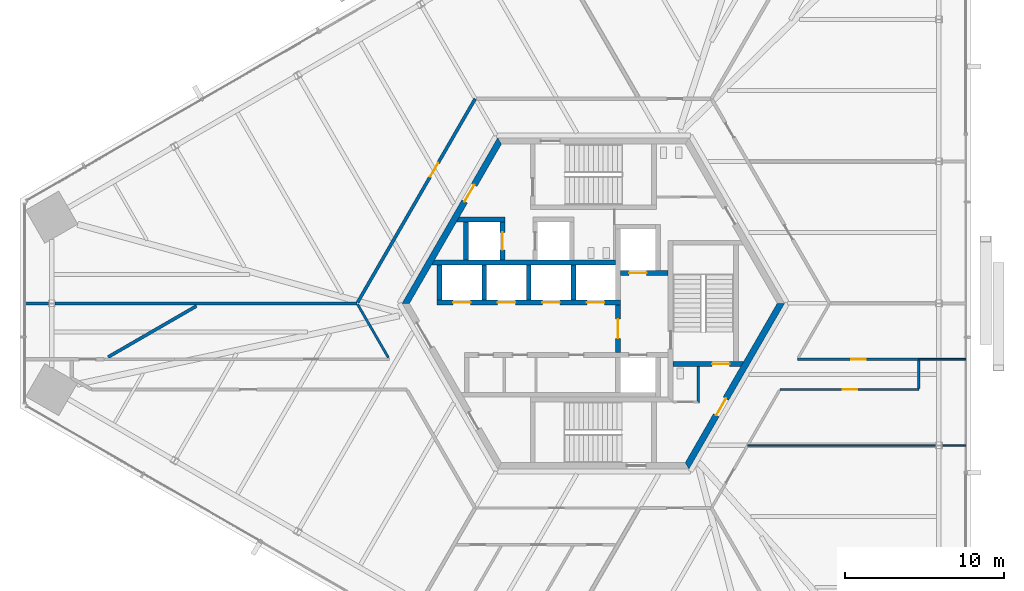
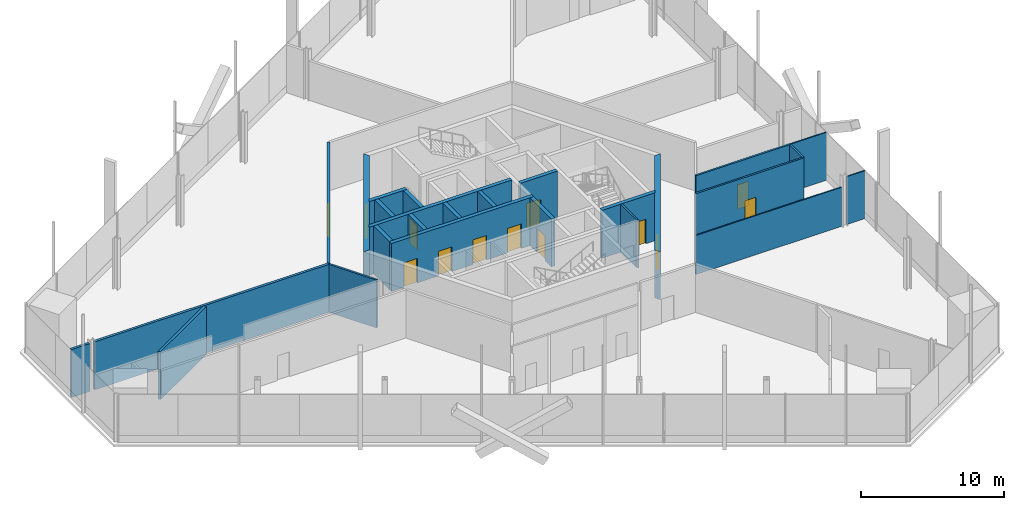
# One storey, part 11 of 18: 26 walls, 13 doors, 13 openings.
"""IFC4 building model written with IfcOpenShell, lengths in metres."""

from ifc_helpers import new_model, si_unit, direction, frame, frame_2d, origin, place, context, subcontext, project, spatial, polyline, rectangle, outline, extrude, source, transform, mapped, material, layer, layer_set, type_object, element, fill, save


model = new_model("IFC4")

# Units and contexts
model_context = context("Model", 3, precision=1e-05, world=origin(), true_north=direction((0.0, 1.0)))
body_context = subcontext(model_context, "Body", "Model", "MODEL_VIEW")
ifc_project = project(units=[si_unit("LENGTHUNIT", "METRE"), si_unit("AREAUNIT", "SQUARE_METRE"), si_unit("VOLUMEUNIT", "CUBIC_METRE"), si_unit("PLANEANGLEUNIT", "RADIAN"), si_unit("MASSUNIT", "GRAM", prefix="KILO")], contexts=[model_context])

# Site, building, storey
site_placement = place(None, origin())
site = spatial("IfcSite", under=ifc_project, at=site_placement, CompositionType="ELEMENT")
building_placement = place(site_placement, origin())
building = spatial("IfcBuilding", under=site, at=building_placement, Name="Triune Harvest Tower", CompositionType="ELEMENT")
storey_placement = place(building_placement, frame((0.0, 0.0, 33.199951171875)))
storey = spatial("IfcBuildingStorey", under=building, at=storey_placement, Name="L07", CompositionType="ELEMENT", Elevation=33.199951171875)

# Wall
ifc_material_1 = material(Name="Gypsum board on steel studs", Category="steel")
ifc_layer_1 = layer(ifc_material_1, 0.199951171875)
ifc_layer_set_1 = layer_set([ifc_layer_1], Name="Gypsum board on steel studs")
wall_type_1 = type_object("IfcWallType", Name="Fire Wall 200 mm", PredefinedType="PARTITIONING", material=ifc_layer_set_1)
wall_1_placement = place(storey_placement, frame((-30.44677734375, -3.364501953125, 0.0), z_axis=(0.0, 0.0, 1.0), x_axis=(0.866029926444, 0.499992166441, 0.0)))
element("IfcWall", 1, at=wall_1_placement, inside=storey, type_object=wall_type_1, Name="Partition L07 029", PredefinedType="PARTITIONING", context=body_context, shape_type="SweptSolid", body=[
    extrude(rectangle(XDim=6.39892578125, YDim=0.199951171875, at=frame_2d((3.199462890625, 0.0))), origin(), (0.0, 0.0, 1.0), 4.10009765625),
])

# Wall, opening, door
ifc_material_2 = material(Name="Concrete 70 MPa", Category="concrete")
ifc_layer_2 = layer(ifc_material_2, 0.39990234375)
ifc_layer_set_2 = layer_set([ifc_layer_2], Name="Concrete 70 MPa")
wall_type_2 = type_object("IfcWallType", Name="Core wall 400", PredefinedType="SHEAR", material=ifc_layer_set_2)
shared_shape_1 = source(origin(), body_context, "Body", "SweptSolid", [
    extrude(outline(polyline([(-0.115478515625, -0.199951171875), (11.884521484375, -0.199951171875), (11.653564453125, 0.199951171875), (0.115478515625, 0.199951171875), (-0.115478515625, -0.199951171875)])), origin(), (0.0, 0.0, 1.0), 4.10009765625),
])
wall_2_placement = place(storey_placement, frame((-5.884521484375, 10.1923828125, 0.0), z_axis=(0.0, 0.0, 1.0), x_axis=(-0.499996592174, -0.866027371285, 0.0)))
wall_2 = element("IfcWall", 2, at=wall_2_placement, inside=storey, type_object=wall_type_2, Name="Hexagon 2 wall", PredefinedType="SHEAR", context=body_context, shape_type="MappedRepresentation", body=[
    mapped(shared_shape_1, transform((0.0, 0.0, 0.0), scale=1.0)),
])
opening_1_placement = place(wall_2_placement, frame((3.1845703125, 0.0, 0.0)))
opening_1 = element("IfcOpeningElement", 3, at=opening_1_placement, cuts=wall_2, Name="Opening CD-SVP", PredefinedType="OPENING", context=body_context, shape_type="SweptSolid", body=[
    extrude(rectangle(XDim=1.199951171875, YDim=2.10009765625, at=frame_2d((0.60009765625, 1.050048828125))), frame((0.0, 0.2099609375, 0.0), z_axis=(0.0, -1.0, 0.0), x_axis=(1.0, 0.0, 0.0)), (0.0, 0.0, 1.0), 0.419921875),
])
ifc_material_3 = material(Name="Steel S235", Category="steel")
door_type_1 = type_object("IfcDoorType", Name="Service door 1200 FD120", OperationType="SINGLE_SWING_LEFT", PredefinedType="DOOR", material=ifc_material_3)
door_1_placement = place(opening_1_placement, frame((1.199951171875, 0.0, 0.0), z_axis=(0.0, 0.0, 1.0), x_axis=(-1.0, 0.0, 0.0)))
door_1 = element("IfcDoor", 4, at=door_1_placement, inside=storey, type_object=door_type_1, Name="Door CD-SVP", OperationType="SINGLE_SWING_RIGHT", OverallHeight=2.10009765625, OverallWidth=1.199951171875, PredefinedType="DOOR", context=body_context, shape_type="SweptSolid", body=[
    extrude(rectangle(XDim=1.199951171875, YDim=2.10009765625, at=frame_2d((0.60009765625, 1.050048828125))), frame((0.0, 0.02490234375, 0.0), z_axis=(0.0, -1.0, 0.0), x_axis=(1.0, 0.0, 0.0)), (0.0, 0.0, 1.0), 0.050048828125),
])
fill(opening_1, door_1)

wall_3_placement = place(storey_placement, frame((5.884521484375, -10.1923828125, 0.0), z_axis=(0.0, 0.0, 1.0), x_axis=(0.499996592174, 0.866027371285, 0.0)))
wall_3 = element("IfcWall", 5, at=wall_3_placement, inside=storey, type_object=wall_type_2, Name="Hexagon 5 wall", PredefinedType="SHEAR", context=body_context, shape_type="MappedRepresentation", body=[
    mapped(shared_shape_1, transform((0.0, 0.0, 0.0), scale=1.0)),
])
opening_2_placement = place(wall_3_placement, frame((3.66455078125, 0.0, 0.0)))
opening_2 = element("IfcOpeningElement", 6, at=opening_2_placement, cuts=wall_3, Name="Opening CD-DP", PredefinedType="OPENING", context=body_context, shape_type="SweptSolid", body=[
    extrude(rectangle(XDim=1.199951171875, YDim=2.10009765625, at=frame_2d((0.60009765625, 1.050048828125))), frame((0.0, 0.2099609375, 0.0), z_axis=(0.0, -1.0, 0.0), x_axis=(1.0, 0.0, 0.0)), (0.0, 0.0, 1.0), 0.419921875),
])
ifc_material_4 = material(Name="Steel S235", Category="steel")
door_type_2 = type_object("IfcDoorType", Name="Stair door 1200 FD120", OperationType="SINGLE_SWING_LEFT", PredefinedType="DOOR", material=ifc_material_4)
door_2_placement = place(opening_2_placement, frame((1.199951171875, 0.0, 0.0), z_axis=(0.0, 0.0, 1.0), x_axis=(-1.0, 0.0, 0.0)))
door_2 = element("IfcDoor", 7, at=door_2_placement, inside=storey, type_object=door_type_2, Name="Door CD-DP", OperationType="SINGLE_SWING_RIGHT", OverallHeight=2.10009765625, OverallWidth=1.199951171875, PredefinedType="DOOR", context=body_context, shape_type="SweptSolid", body=[
    extrude(rectangle(XDim=1.199951171875, YDim=2.10009765625, at=frame_2d((0.60009765625, 1.050048828125))), frame((0.0, 0.02490234375, 0.0), z_axis=(0.0, -1.0, 0.0), x_axis=(1.0, 0.0, 0.0)), (0.0, 0.0, 1.0), 0.050048828125),
])
fill(opening_2, door_2)

# Wall, openings, doors
ifc_material_5 = material(Name="Concrete 70 MPa", Category="concrete")
ifc_layer_3 = layer(ifc_material_5, 0.300048828125)
ifc_layer_set_3 = layer_set([ifc_layer_3], Name="Concrete 70 MPa")
wall_type_3 = type_object("IfcWallType", Name="Core wall 300", PredefinedType="SHEAR", material=ifc_layer_set_3)
shared_shape_2 = source(origin(), body_context, "Body", "SweptSolid", [
    extrude(rectangle(XDim=11.5, YDim=0.300048828125, at=frame_2d((5.75, 0.0))), origin(), (0.0, 0.0, 1.0), 4.10009765625),
])
wall_4_placement = place(storey_placement, frame((-9.800048828125, 0.06005859375, 0.0), z_axis=(0.0, 0.0, 1.0), x_axis=(1.0, 0.0, 0.0)))
wall_4 = element("IfcWall", 8, at=wall_4_placement, inside=storey, type_object=wall_type_3, Name="North front wall", PredefinedType="SHEAR", context=body_context, shape_type="MappedRepresentation", body=[
    mapped(shared_shape_2, transform((0.0, 0.0, 0.0), scale=1.0)),
])
opening_3_placement = place(wall_4_placement, frame((1.0, 0.0, 0.0)))
opening_3 = element("IfcOpeningElement", 9, at=opening_3_placement, cuts=wall_4, Name="Opening LD-LR1-07", PredefinedType="OPENING", context=body_context, shape_type="SweptSolid", body=[
    extrude(rectangle(XDim=1.10009765625, YDim=2.10009765625, at=frame_2d((0.550048828125, 1.050048828125))), frame((0.0, 0.16015625, 0.0), z_axis=(0.0, -1.0, 0.0), x_axis=(1.0, 0.0, 0.0)), (0.0, 0.0, 1.0), 0.320068359375),
])
opening_4_placement = place(wall_4_placement, frame((3.800048828125, 0.0, 0.0)))
opening_4 = element("IfcOpeningElement", 10, at=opening_4_placement, cuts=wall_4, Name="Opening LD-LR2-07", PredefinedType="OPENING", context=body_context, shape_type="SweptSolid", body=[
    extrude(rectangle(XDim=1.10009765625, YDim=2.10009765625, at=frame_2d((0.550048828125, 1.050048828125))), frame((0.0, 0.16015625, 0.0), z_axis=(0.0, -1.0, 0.0), x_axis=(1.0, 0.0, 0.0)), (0.0, 0.0, 1.0), 0.320068359375),
])
opening_5_placement = place(wall_4_placement, frame((6.60009765625, 0.0, 0.0)))
opening_5 = element("IfcOpeningElement", 11, at=opening_5_placement, cuts=wall_4, Name="Opening LD-LR3-07", PredefinedType="OPENING", context=body_context, shape_type="SweptSolid", body=[
    extrude(rectangle(XDim=1.10009765625, YDim=2.10009765625, at=frame_2d((0.550048828125, 1.050048828125))), frame((0.0, 0.16015625, 0.0), z_axis=(0.0, -1.0, 0.0), x_axis=(1.0, 0.0, 0.0)), (0.0, 0.0, 1.0), 0.320068359375),
])
opening_6_placement = place(wall_4_placement, frame((9.39990234375, 0.0, 0.0)))
opening_6 = element("IfcOpeningElement", 12, at=opening_6_placement, cuts=wall_4, Name="Opening LD-LR4-07", PredefinedType="OPENING", context=body_context, shape_type="SweptSolid", body=[
    extrude(rectangle(XDim=1.10009765625, YDim=2.10009765625, at=frame_2d((0.550048828125, 1.050048828125))), frame((0.0, 0.16015625, 0.0), z_axis=(0.0, -1.0, 0.0), x_axis=(1.0, 0.0, 0.0)), (0.0, 0.0, 1.0), 0.320068359375),
])
ifc_material_6 = material(Name="Stainless steel AISI 304", Category="steel")
door_type_3 = type_object("IfcDoorType", Name="Landing door 1100 x 2100", OperationType="DOUBLE_DOOR_SLIDING", PredefinedType="DOOR", material=ifc_material_6)
door_3_placement = place(opening_3_placement, origin())
door_3 = element("IfcDoor", 13, at=door_3_placement, inside=storey, type_object=door_type_3, Name="Door LD-LR1-07", OperationType="DOUBLE_DOOR_SLIDING", OverallHeight=2.10009765625, OverallWidth=1.10009765625, PredefinedType="DOOR", context=body_context, shape_type="SweptSolid", body=[
    extrude(rectangle(XDim=1.10009765625, YDim=2.10009765625, at=frame_2d((0.550048828125, 1.050048828125))), frame((0.0, 0.02490234375, 0.0), z_axis=(0.0, -1.0, 0.0), x_axis=(1.0, 0.0, 0.0)), (0.0, 0.0, 1.0), 0.050048828125),
])
fill(opening_3, door_3)
door_4_placement = place(opening_4_placement, origin())
door_4 = element("IfcDoor", 14, at=door_4_placement, inside=storey, type_object=door_type_3, Name="Door LD-LR2-07", OperationType="DOUBLE_DOOR_SLIDING", OverallHeight=2.10009765625, OverallWidth=1.10009765625, PredefinedType="DOOR", context=body_context, shape_type="SweptSolid", body=[
    extrude(rectangle(XDim=1.10009765625, YDim=2.10009765625, at=frame_2d((0.550048828125, 1.050048828125))), frame((0.0, 0.02490234375, 0.0), z_axis=(0.0, -1.0, 0.0), x_axis=(1.0, 0.0, 0.0)), (0.0, 0.0, 1.0), 0.050048828125),
])
fill(opening_4, door_4)
door_5_placement = place(opening_5_placement, origin())
door_5 = element("IfcDoor", 15, at=door_5_placement, inside=storey, type_object=door_type_3, Name="Door LD-LR3-07", OperationType="DOUBLE_DOOR_SLIDING", OverallHeight=2.10009765625, OverallWidth=1.10009765625, PredefinedType="DOOR", context=body_context, shape_type="SweptSolid", body=[
    extrude(rectangle(XDim=1.10009765625, YDim=2.10009765625, at=frame_2d((0.550048828125, 1.050048828125))), frame((0.0, 0.02490234375, 0.0), z_axis=(0.0, -1.0, 0.0), x_axis=(1.0, 0.0, 0.0)), (0.0, 0.0, 1.0), 0.050048828125),
])
fill(opening_5, door_5)
door_6_placement = place(opening_6_placement, origin())
door_6 = element("IfcDoor", 16, at=door_6_placement, inside=storey, type_object=door_type_3, Name="Door LD-LR4-07", OperationType="DOUBLE_DOOR_SLIDING", OverallHeight=2.10009765625, OverallWidth=1.10009765625, PredefinedType="DOOR", context=body_context, shape_type="SweptSolid", body=[
    extrude(rectangle(XDim=1.10009765625, YDim=2.10009765625, at=frame_2d((0.550048828125, 1.050048828125))), frame((0.0, 0.02490234375, 0.0), z_axis=(0.0, -1.0, 0.0), x_axis=(1.0, 0.0, 0.0)), (0.0, 0.0, 1.0), 0.050048828125),
])
fill(opening_6, door_6)

# Wall
shared_shape_3 = source(origin(), body_context, "Body", "SweptSolid", [
    extrude(outline(polyline([(11.199951171875, -0.14990234375), (-0.34912109375, -0.14990234375), (-0.17578125, 0.14990234375), (11.199951171875, 0.14990234375), (11.199951171875, -0.14990234375)])), origin(), (0.0, 0.0, 1.0), 4.10009765625),
])
wall_5_placement = place(storey_placement, frame((-9.800048828125, 2.56005859375, 0.0), z_axis=(0.0, 0.0, 1.0), x_axis=(1.0, 0.0, 0.0)))
element("IfcWall", 17, at=wall_5_placement, inside=storey, type_object=wall_type_3, Name="North back wall", PredefinedType="SHEAR", context=body_context, shape_type="MappedRepresentation", body=[
    mapped(shared_shape_3, transform((0.0, 0.0, 0.0), scale=1.0)),
])

# Wall, opening, door
shared_shape_4 = source(origin(), body_context, "Body", "SweptSolid", [
    extrude(rectangle(XDim=3.0, YDim=0.300048828125, at=frame_2d((1.5, 0.0))), origin(), (0.0, 0.0, 1.0), 4.10009765625),
])
wall_6_placement = place(storey_placement, frame((1.699951171875, 1.909912109375, 0.0), z_axis=(0.0, 0.0, 1.0), x_axis=(1.0, 0.0, 0.0)))
wall_6 = element("IfcWall", 18, at=wall_6_placement, inside=storey, type_object=wall_type_3, Name="Ff1 front wall", PredefinedType="SHEAR", context=body_context, shape_type="MappedRepresentation", body=[
    mapped(shared_shape_4, transform((0.0, 0.0, 0.0), scale=1.0)),
])
opening_7_placement = place(wall_6_placement, frame((0.550048828125, 0.0, 0.0)))
opening_7 = element("IfcOpeningElement", 19, at=opening_7_placement, cuts=wall_6, Name="Opening LD-FF1-07", PredefinedType="OPENING", context=body_context, shape_type="SweptSolid", body=[
    extrude(rectangle(XDim=1.10009765625, YDim=2.10009765625, at=frame_2d((0.550048828125, 1.050048828125))), frame((0.0, 0.16015625, 0.0), z_axis=(0.0, -1.0, 0.0), x_axis=(1.0, 0.0, 0.0)), (0.0, 0.0, 1.0), 0.320068359375),
])
door_7_placement = place(opening_7_placement, origin())
door_7 = element("IfcDoor", 20, at=door_7_placement, inside=storey, type_object=door_type_3, Name="Door LD-FF1-07", OperationType="DOUBLE_DOOR_SLIDING", OverallHeight=2.10009765625, OverallWidth=1.10009765625, PredefinedType="DOOR", context=body_context, shape_type="SweptSolid", body=[
    extrude(rectangle(XDim=1.10009765625, YDim=2.10009765625, at=frame_2d((0.550048828125, 1.050048828125))), frame((0.0, 0.02490234375, 0.0), z_axis=(0.0, -1.0, 0.0), x_axis=(1.0, 0.0, 0.0)), (0.0, 0.0, 1.0), 0.050048828125),
])
fill(opening_7, door_7)

wall_7_placement = place(storey_placement, frame((1.550048828125, -3.090087890625, 0.0), z_axis=(0.0, 0.0, 1.0), x_axis=(0.0, 1.0, 0.0)))
wall_7 = element("IfcWall", 21, at=wall_7_placement, inside=storey, type_object=wall_type_3, Name="Ff lobby west wall", PredefinedType="SHEAR", context=body_context, shape_type="MappedRepresentation", body=[
    mapped(shared_shape_4, transform((0.0, 0.0, 0.0), scale=1.0)),
])
opening_8_placement = place(wall_7_placement, frame((0.89990234375, 0.0, 0.0)))
opening_8 = element("IfcOpeningElement", 22, at=opening_8_placement, cuts=wall_7, Name="Opening CD-FL", PredefinedType="OPENING", context=body_context, shape_type="SweptSolid", body=[
    extrude(rectangle(XDim=1.199951171875, YDim=2.10009765625, at=frame_2d((0.60009765625, 1.050048828125))), frame((0.0, 0.16015625, 0.0), z_axis=(0.0, -1.0, 0.0), x_axis=(1.0, 0.0, 0.0)), (0.0, 0.0, 1.0), 0.320068359375),
])
ifc_material_7 = material(Name="Steel S235", Category="steel")
door_type_4 = type_object("IfcDoorType", Name="Firefighters' lobby door 1200 FD120", OperationType="SINGLE_SWING_LEFT", PredefinedType="DOOR", material=ifc_material_7)
door_8_placement = place(opening_8_placement, frame((1.199951171875, 0.0, 0.0), z_axis=(0.0, 0.0, 1.0), x_axis=(-1.0, 0.0, 0.0)))
door_8 = element("IfcDoor", 23, at=door_8_placement, inside=storey, type_object=door_type_4, Name="Door CD-FL", OperationType="SINGLE_SWING_RIGHT", OverallHeight=2.10009765625, OverallWidth=1.199951171875, PredefinedType="DOOR", context=body_context, shape_type="SweptSolid", body=[
    extrude(rectangle(XDim=1.199951171875, YDim=2.10009765625, at=frame_2d((0.60009765625, 1.050048828125))), frame((0.0, 0.02490234375, 0.0), z_axis=(0.0, -1.0, 0.0), x_axis=(1.0, 0.0, 0.0)), (0.0, 0.0, 1.0), 0.050048828125),
])
fill(opening_8, door_8)

# Walls
shared_shape_5 = source(origin(), body_context, "Body", "SweptSolid", [
    extrude(rectangle(XDim=2.199951171875, YDim=0.300048828125, at=frame_2d((1.10009765625, 0.0))), origin(), (0.0, 0.0, 1.0), 4.10009765625),
])
for number, where, z_axis, x_axis, name in (
    (24, (-9.64990234375, 0.2099609375, 0.0), (0.0, 0.0, 1.0), (0.0, 1.0, 0.0), "North end west wall"),
    (25, (-6.85009765625, 0.2099609375, 0.0), (0.0, 0.0, 1.0), (0.0, 1.0, 0.0), "North cross 1 wall"),
    (26, (-4.050048828125, 0.2099609375, 0.0), (0.0, 0.0, 1.0), (0.0, 1.0, 0.0), "North cross 2 wall"),
    (27, (-1.25, 0.2099609375, 0.0), (0.0, 0.0, 1.0), (0.0, 1.0, 0.0), "North cross 3 wall"),
):
    element("IfcWall", number, at=place(storey_placement, frame(where, z_axis=z_axis, x_axis=x_axis)), inside=storey, type_object=wall_type_3, Name=name, PredefinedType="SHEAR", context=body_context, shape_type="MappedRepresentation", body=[
        mapped(shared_shape_5, transform((0.0, 0.0, 0.0), scale=1.0)),
    ])

# Wall, opening, door
shared_shape_6 = source(origin(), body_context, "Body", "SweptSolid", [
    extrude(outline(polyline([(0.0, -0.14990234375), (0.0, 0.14990234375), (4.43310546875, 0.14990234375), (4.260009765625, -0.14990234375), (0.0, -0.14990234375)])), origin(), (0.0, 0.0, 1.0), 4.10009765625),
])
wall_8_placement = place(storey_placement, frame((5.0, -3.800048828125, 0.0), z_axis=(0.0, 0.0, 1.0), x_axis=(1.0, 0.0, 0.0)))
wall_8 = element("IfcWall", 28, at=wall_8_placement, inside=storey, type_object=wall_type_3, Name="Stair e south wall", PredefinedType="SHEAR", context=body_context, shape_type="MappedRepresentation", body=[
    mapped(shared_shape_6, transform((0.0, 0.0, 0.0), scale=1.0)),
])
opening_9_placement = place(wall_8_placement, frame((2.449951171875, 0.0, 0.0)))
opening_9 = element("IfcOpeningElement", 29, at=opening_9_placement, cuts=wall_8, Name="Opening CD-S3D", PredefinedType="OPENING", context=body_context, shape_type="SweptSolid", body=[
    extrude(rectangle(XDim=1.10009765625, YDim=2.10009765625, at=frame_2d((0.550048828125, 1.050048828125))), frame((0.0, 0.16015625, 0.0), z_axis=(0.0, -1.0, 0.0), x_axis=(1.0, 0.0, 0.0)), (0.0, 0.0, 1.0), 0.320068359375),
])
ifc_material_8 = material(Name="Steel S235", Category="steel")
door_type_5 = type_object("IfcDoorType", Name="Stair door 1100 FD120", OperationType="SINGLE_SWING_LEFT", PredefinedType="DOOR", material=ifc_material_8)
door_9_placement = place(opening_9_placement, frame((1.10009765625, 0.0, 0.0), z_axis=(0.0, 0.0, 1.0), x_axis=(-1.0, 0.0, 0.0)))
door_9 = element("IfcDoor", 30, at=door_9_placement, inside=storey, type_object=door_type_5, Name="Door CD-S3D", OperationType="SINGLE_SWING_RIGHT", OverallHeight=2.10009765625, OverallWidth=1.10009765625, PredefinedType="DOOR", context=body_context, shape_type="SweptSolid", body=[
    extrude(rectangle(XDim=1.10009765625, YDim=2.10009765625, at=frame_2d((0.550048828125, 1.050048828125))), frame((0.0, 0.02490234375, 0.0), z_axis=(0.0, -1.0, 0.0), x_axis=(1.0, 0.0, 0.0)), (0.0, 0.0, 1.0), 0.050048828125),
])
fill(opening_9, door_9)

# Walls
shared_shape_7 = source(origin(), body_context, "Body", "SweptSolid", [
    extrude(outline(polyline([(2.60009765625, -0.14990234375), (-0.440185546875, -0.14990234375), (-0.26708984375, 0.14990234375), (2.60009765625, 0.14990234375), (2.60009765625, -0.14990234375)])), origin(), (0.0, 0.0, 1.0), 4.10009765625),
])
wall_9_placement = place(storey_placement, frame((-8.14990234375, 5.260009765625, 0.0), z_axis=(0.0, 0.0, 1.0), x_axis=(1.0, 0.0, 0.0)))
element("IfcWall", 31, at=wall_9_placement, inside=storey, type_object=wall_type_3, Name="Sv1 north wall", PredefinedType="SHEAR", context=body_context, shape_type="MappedRepresentation", body=[
    mapped(shared_shape_7, transform((0.0, 0.0, 0.0), scale=1.0)),
])
shared_shape_8 = source(origin(), body_context, "Body", "SweptSolid", [
    extrude(rectangle(XDim=2.400146484375, YDim=0.300048828125, at=frame_2d((1.2001953125, 0.0))), origin(), (0.0, 0.0, 1.0), 4.10009765625),
])
wall_10_placement = place(storey_placement, frame((-8.0, 2.7099609375, 0.0), z_axis=(0.0, 0.0, 1.0), x_axis=(0.0, 1.0, 0.0)))
element("IfcWall", 32, at=wall_10_placement, inside=storey, type_object=wall_type_3, Name="Sv1 west wall", PredefinedType="SHEAR", context=body_context, shape_type="MappedRepresentation", body=[
    mapped(shared_shape_8, transform((0.0, 0.0, 0.0), scale=1.0)),
])

# Wall, opening, door
wall_11_placement = place(storey_placement, frame((-5.699951171875, 2.7099609375, 0.0), z_axis=(0.0, 0.0, 1.0), x_axis=(0.0, 1.0, 0.0)))
wall_11 = element("IfcWall", 33, at=wall_11_placement, inside=storey, type_object=wall_type_3, Name="Sv1 east wall", PredefinedType="SHEAR", context=body_context, shape_type="MappedRepresentation", body=[
    mapped(shared_shape_8, transform((0.0, 0.0, 0.0), scale=1.0)),
])
opening_10_placement = place(wall_11_placement, frame((0.64990234375, 0.0, 0.0)))
opening_10 = element("IfcOpeningElement", 34, at=opening_10_placement, cuts=wall_11, Name="Opening LD-SV1-07", PredefinedType="OPENING", context=body_context, shape_type="SweptSolid", body=[
    extrude(rectangle(XDim=1.10009765625, YDim=2.10009765625, at=frame_2d((0.550048828125, 1.050048828125))), frame((0.0, 0.16015625, 0.0), z_axis=(0.0, -1.0, 0.0), x_axis=(1.0, 0.0, 0.0)), (0.0, 0.0, 1.0), 0.320068359375),
])
door_10_placement = place(opening_10_placement, origin())
door_10 = element("IfcDoor", 35, at=door_10_placement, inside=storey, type_object=door_type_3, Name="Door LD-SV1-07", OperationType="DOUBLE_DOOR_SLIDING", OverallHeight=2.10009765625, OverallWidth=1.10009765625, PredefinedType="DOOR", context=body_context, shape_type="SweptSolid", body=[
    extrude(rectangle(XDim=1.10009765625, YDim=2.10009765625, at=frame_2d((0.550048828125, 1.050048828125))), frame((0.0, 0.02490234375, 0.0), z_axis=(0.0, -1.0, 0.0), x_axis=(1.0, 0.0, 0.0)), (0.0, 0.0, 1.0), 0.050048828125),
])
fill(opening_10, door_10)

# Walls
ifc_material_9 = material(Name="Concrete masonry unit", Category="masonry")
ifc_layer_4 = layer(ifc_material_9, 0.14990234375)
ifc_layer_set_4 = layer_set([ifc_layer_4], Name="Concrete masonry unit")
wall_type_4 = type_object("IfcWallType", Name="Block partition 150 unrated", PredefinedType="PARTITIONING", material=ifc_layer_set_4)
shared_shape_9 = source(origin(), body_context, "Body", "SweptSolid", [
    extrude(outline(polyline([(-0.074951171875, -0.074951171875), (2.239990234375, -0.074951171875), (2.239990234375, 0.074951171875), (0.074951171875, 0.074951171875), (-0.074951171875, -0.074951171875)])), origin(), (0.0, 0.0, 1.0), 4.10009765625),
])
wall_12_placement = place(storey_placement, frame((6.574951171875, -6.18994140625, 0.0), z_axis=(0.0, 0.0, 1.0), x_axis=(0.0, 1.0, 0.0)))
element("IfcWall", 36, at=wall_12_placement, inside=storey, type_object=wall_type_4, Name="Wc acc east wall", PredefinedType="PARTITIONING", context=body_context, shape_type="MappedRepresentation", body=[
    mapped(shared_shape_9, transform((0.0, 0.0, 0.0), scale=1.0)),
])
shared_shape_10 = source(origin(), body_context, "Body", "SweptSolid", [
    extrude(rectangle(XDim=1.49853515625, YDim=0.199951171875, at=frame_2d((0.749267578125, 0.0))), origin(), (0.0, 0.0, 1.0), 4.10009765625),
])
wall_13_placement = place(storey_placement, frame((-35.680419921875, 0.0, 0.0), z_axis=(0.0, 0.0, 1.0), x_axis=(1.0, 0.0, 0.0)))
element("IfcWall", 37, at=wall_13_placement, inside=storey, type_object=wall_type_1, Name="Partition L07 021", PredefinedType="PARTITIONING", context=body_context, shape_type="MappedRepresentation", body=[
    mapped(shared_shape_10, transform((0.0, 0.0, 0.0), scale=1.0)),
])
ifc_material_10 = material(Name="Gypsum board on steel studs", Category="steel")
ifc_layer_5 = layer(ifc_material_10, 0.10009765625)
ifc_layer_set_5 = layer_set([ifc_layer_5], Name="Gypsum board on steel studs")
wall_type_5 = type_object("IfcWallType", Name="Partition 100 mm", PredefinedType="PARTITIONING", material=ifc_layer_set_5)
shared_shape_11 = source(origin(), body_context, "Body", "SweptSolid", [
    extrude(rectangle(XDim=1.49853515625, YDim=0.10009765625, at=frame_2d((0.749267578125, 0.0))), origin(), (0.0, 0.0, 1.0), 4.10009765625),
])
wall_14_placement = place(storey_placement, frame((21.872802734375, -8.909912109375, 0.0), z_axis=(0.0, 0.0, 1.0), x_axis=(1.0, 0.0, 0.0)))
element("IfcWall", 38, at=wall_14_placement, inside=storey, type_object=wall_type_5, Name="Partition L07 014", PredefinedType="PARTITIONING", context=body_context, shape_type="MappedRepresentation", body=[
    mapped(shared_shape_11, transform((0.0, 0.0, 0.0), scale=1.0)),
])
shared_shape_12 = source(origin(), body_context, "Body", "SweptSolid", [
    extrude(rectangle(XDim=2.94189453125, YDim=0.10009765625, at=frame_2d((1.470947265625, 0.0))), origin(), (0.0, 0.0, 1.0), 4.10009765625),
])
wall_15_placement = place(storey_placement, frame((20.429443359375, -3.5048828125, 0.0), z_axis=(0.0, 0.0, 1.0), x_axis=(1.0, 0.0, 0.0)))
element("IfcWall", 39, at=wall_15_placement, inside=storey, type_object=wall_type_5, Name="Partition L07 020", PredefinedType="PARTITIONING", context=body_context, shape_type="MappedRepresentation", body=[
    mapped(shared_shape_12, transform((0.0, 0.0, 0.0), scale=1.0)),
])
ifc_material_11 = material(Name="Gypsum board on steel studs", Category="steel")
ifc_layer_6 = layer(ifc_material_11, 0.14990234375)
ifc_layer_set_6 = layer_set([ifc_layer_6], Name="Gypsum board on steel studs")
wall_type_6 = type_object("IfcWallType", Name="Fire Partition 150 mm", PredefinedType="PARTITIONING", material=ifc_layer_set_6)
shared_shape_13 = source(origin(), body_context, "Body", "SweptSolid", [
    extrude(rectangle(XDim=3.8671875, YDim=0.14990234375, at=frame_2d((1.93359375, 0.0))), origin(), (0.0, 0.0, 1.0), 4.10009765625),
])
wall_16_placement = place(storey_placement, frame((-14.7939453125, -0.060546875, 0.0), z_axis=(0.0, 0.0, 1.0), x_axis=(0.499995691662, -0.86602789119, 0.0)))
element("IfcWall", 40, at=wall_16_placement, inside=storey, type_object=wall_type_6, Name="Partition L07 001", PredefinedType="PARTITIONING", context=body_context, shape_type="MappedRepresentation", body=[
    mapped(shared_shape_13, transform((0.0, 0.0, 0.0), scale=1.0)),
])

# Wall, opening, door
shared_shape_14 = source(origin(), body_context, "Body", "SweptSolid", [
    extrude(rectangle(XDim=14.759033203125, YDim=0.199951171875, at=frame_2d((7.37939453125, 0.0))), origin(), (0.0, 0.0, 1.0), 4.10009765625),
])
wall_17_placement = place(storey_placement, frame((-14.7939453125, 0.060546875, 0.0), z_axis=(0.0, 0.0, 1.0), x_axis=(0.49999260588, 0.86602967274, 0.0)))
wall_17 = element("IfcWall", 41, at=wall_17_placement, inside=storey, type_object=wall_type_1, Name="Partition L07 042", PredefinedType="PARTITIONING", context=body_context, shape_type="MappedRepresentation", body=[
    mapped(shared_shape_14, transform((0.0, 0.0, 0.0), scale=1.0)),
])
opening_11_placement = place(wall_17_placement, frame((9.10888671875, 0.0, 0.0)))
opening_11 = element("IfcOpeningElement", 42, at=opening_11_placement, cuts=wall_17, Name="Opening L07-008", PredefinedType="OPENING", context=body_context, shape_type="SweptSolid", body=[
    extrude(rectangle(XDim=1.0, YDim=2.10009765625, at=frame_2d((0.5, 1.050048828125))), frame((0.0, 0.10986328125, 0.0), z_axis=(0.0, -1.0, 0.0), x_axis=(1.0, 0.0, 0.0)), (0.0, 0.0, 1.0), 0.219970703125),
])
ifc_material_12 = material(Name="Timber and steel door set", Category="steel")
door_type_6 = type_object("IfcDoorType", Name="Wide single leaf door FD60 right hand 1000 x 2100", OperationType="SINGLE_SWING_RIGHT", PredefinedType="DOOR", material=ifc_material_12)
door_11_placement = place(opening_11_placement, origin())
door_11 = element("IfcDoor", 43, at=door_11_placement, inside=storey, type_object=door_type_6, Name="Door L07-008 Propagation Room 07.08", OperationType="SINGLE_SWING_RIGHT", OverallHeight=2.10009765625, OverallWidth=1.0, PredefinedType="DOOR", context=body_context, shape_type="SweptSolid", body=[
    extrude(rectangle(XDim=1.0, YDim=2.10009765625, at=frame_2d((0.5, 1.050048828125))), frame((0.0, 0.02490234375, 0.0), z_axis=(0.0, -1.0, 0.0), x_axis=(1.0, 0.0, 0.0)), (0.0, 0.0, 1.0), 0.050048828125),
])
fill(opening_11, door_11)

# Wall
shared_shape_15 = source(origin(), body_context, "Body", "SweptSolid", [
    extrude(rectangle(XDim=11.801513671875, YDim=0.10009765625, at=frame_2d((5.90087890625, 0.0))), origin(), (0.0, 0.0, 1.0), 3.343017578125),
])
wall_18_placement = place(storey_placement, frame((9.684814453125, -8.909912109375, 0.0), z_axis=(0.0, 0.0, 1.0), x_axis=(1.0, 0.0, 0.0)))
element("IfcWall", 44, at=wall_18_placement, inside=storey, type_object=wall_type_5, Name="Partition L07 013", PredefinedType="PARTITIONING", context=body_context, shape_type="MappedRepresentation", body=[
    mapped(shared_shape_15, transform((0.0, 0.0, 0.0), scale=1.0)),
])

# Wall, opening, door
shared_shape_16 = source(origin(), body_context, "Body", "SweptSolid", [
    extrude(rectangle(XDim=8.720947265625, YDim=0.14990234375, at=frame_2d((4.3603515625, 0.0))), origin(), (0.0, 0.0, 1.0), 4.10009765625),
])
wall_19_placement = place(storey_placement, frame((11.70849609375, -5.405029296875, 0.0), z_axis=(0.0, 0.0, 1.0), x_axis=(1.0, 0.0, 0.0)))
wall_19 = element("IfcWall", 45, at=wall_19_placement, inside=storey, type_object=wall_type_6, Name="Partition L07 016", PredefinedType="PARTITIONING", context=body_context, shape_type="MappedRepresentation", body=[
    mapped(shared_shape_16, transform((0.0, 0.0, 0.0), scale=1.0)),
])
opening_12_placement = place(wall_19_placement, frame((3.949951171875, 0.0, 0.0)))
opening_12 = element("IfcOpeningElement", 46, at=opening_12_placement, cuts=wall_19, Name="Opening L07-002", PredefinedType="OPENING", context=body_context, shape_type="SweptSolid", body=[
    extrude(rectangle(XDim=0.89990234375, YDim=2.10009765625, at=frame_2d((0.449951171875, 1.050048828125))), frame((0.0, 0.0849609375, 0.0), z_axis=(0.0, -1.0, 0.0), x_axis=(1.0, 0.0, 0.0)), (0.0, 0.0, 1.0), 0.169921875),
])
ifc_material_13 = material(Name="Timber and steel door set", Category="steel")
door_type_7 = type_object("IfcDoorType", Name="Single leaf door FD30 left hand 900 x 2100", OperationType="SINGLE_SWING_LEFT", PredefinedType="DOOR", material=ifc_material_13)
door_12_placement = place(opening_12_placement, origin())
door_12 = element("IfcDoor", 47, at=door_12_placement, inside=storey, type_object=door_type_7, Name="Door L07-002 Dry Store Room 07.02", OperationType="SINGLE_SWING_LEFT", OverallHeight=2.10009765625, OverallWidth=0.89990234375, PredefinedType="DOOR", context=body_context, shape_type="SweptSolid", body=[
    extrude(rectangle(XDim=0.89990234375, YDim=2.10009765625, at=frame_2d((0.449951171875, 1.050048828125))), frame((0.0, 0.02490234375, 0.0), z_axis=(0.0, -1.0, 0.0), x_axis=(1.0, 0.0, 0.0)), (0.0, 0.0, 1.0), 0.050048828125),
])
fill(opening_12, door_12)

shared_shape_17 = source(origin(), body_context, "Body", "SweptSolid", [
    extrude(rectangle(XDim=7.6240234375, YDim=0.14990234375, at=frame_2d((3.81201171875, 0.0))), origin(), (0.0, 0.0, 1.0), 4.10009765625),
])
wall_20_placement = place(storey_placement, frame((12.805419921875, -3.5048828125, 0.0), z_axis=(0.0, 0.0, 1.0), x_axis=(1.0, 0.0, 0.0)))
wall_20 = element("IfcWall", 48, at=wall_20_placement, inside=storey, type_object=wall_type_6, Name="Partition L07 019", PredefinedType="PARTITIONING", context=body_context, shape_type="MappedRepresentation", body=[
    mapped(shared_shape_17, transform((0.0, 0.0, 0.0), scale=1.0)),
])
opening_13_placement = place(wall_20_placement, frame((3.384033203125, 0.0, 0.0)))
opening_13 = element("IfcOpeningElement", 49, at=opening_13_placement, cuts=wall_20, Name="Opening L07-003", PredefinedType="OPENING", context=body_context, shape_type="SweptSolid", body=[
    extrude(rectangle(XDim=0.89990234375, YDim=2.10009765625, at=frame_2d((0.449951171875, 1.050048828125))), frame((0.0, 0.0849609375, 0.0), z_axis=(0.0, -1.0, 0.0), x_axis=(1.0, 0.0, 0.0)), (0.0, 0.0, 1.0), 0.169921875),
])
ifc_material_14 = material(Name="Timber and steel door set", Category="steel")
door_type_8 = type_object("IfcDoorType", Name="Single leaf door FD30 right hand 900 x 2100", OperationType="SINGLE_SWING_RIGHT", PredefinedType="DOOR", material=ifc_material_14)
door_13_placement = place(opening_13_placement, origin())
door_13 = element("IfcDoor", 50, at=door_13_placement, inside=storey, type_object=door_type_8, Name="Door L07-003 Packing Room 07.03", OperationType="SINGLE_SWING_RIGHT", OverallHeight=2.10009765625, OverallWidth=0.89990234375, PredefinedType="DOOR", context=body_context, shape_type="SweptSolid", body=[
    extrude(rectangle(XDim=0.89990234375, YDim=2.10009765625, at=frame_2d((0.449951171875, 1.050048828125))), frame((0.0, 0.02490234375, 0.0), z_axis=(0.0, -1.0, 0.0), x_axis=(1.0, 0.0, 0.0)), (0.0, 0.0, 1.0), 0.050048828125),
])
fill(opening_13, door_13)

# Walls
shared_shape_18 = source(origin(), body_context, "Body", "SweptSolid", [
    extrude(rectangle(XDim=18.96630859375, YDim=0.199951171875, at=frame_2d((9.483154296875, 0.0))), origin(), (0.0, 0.0, 1.0), 4.10009765625),
])
wall_21_placement = place(storey_placement, frame((-33.79541015625, 0.0, 0.0), z_axis=(0.0, 0.0, 1.0), x_axis=(1.0, 0.0, 0.0)))
element("IfcWall", 51, at=wall_21_placement, inside=storey, type_object=wall_type_1, Name="Partition L07 022", PredefinedType="PARTITIONING", context=body_context, shape_type="MappedRepresentation", body=[
    mapped(shared_shape_18, transform((0.0, 0.0, 0.0), scale=1.0)),
])
shared_shape_19 = source(origin(), body_context, "Body", "SweptSolid", [
    extrude(rectangle(XDim=1.780029296875, YDim=0.14990234375, at=frame_2d((0.89013671875, 0.0))), origin(), (0.0, 0.0, 1.0), 4.10009765625),
])
wall_22_placement = place(storey_placement, frame((20.429443359375, -5.344970703125, 0.0), z_axis=(0.0, 0.0, 1.0), x_axis=(0.0, 1.0, 0.0)))
element("IfcWall", 52, at=wall_22_placement, inside=storey, type_object=wall_type_6, Name="Partition L07 043", PredefinedType="PARTITIONING", context=body_context, shape_type="MappedRepresentation", body=[
    mapped(shared_shape_19, transform((0.0, 0.0, 0.0), scale=1.0)),
])

save(model, "model.ifc")
